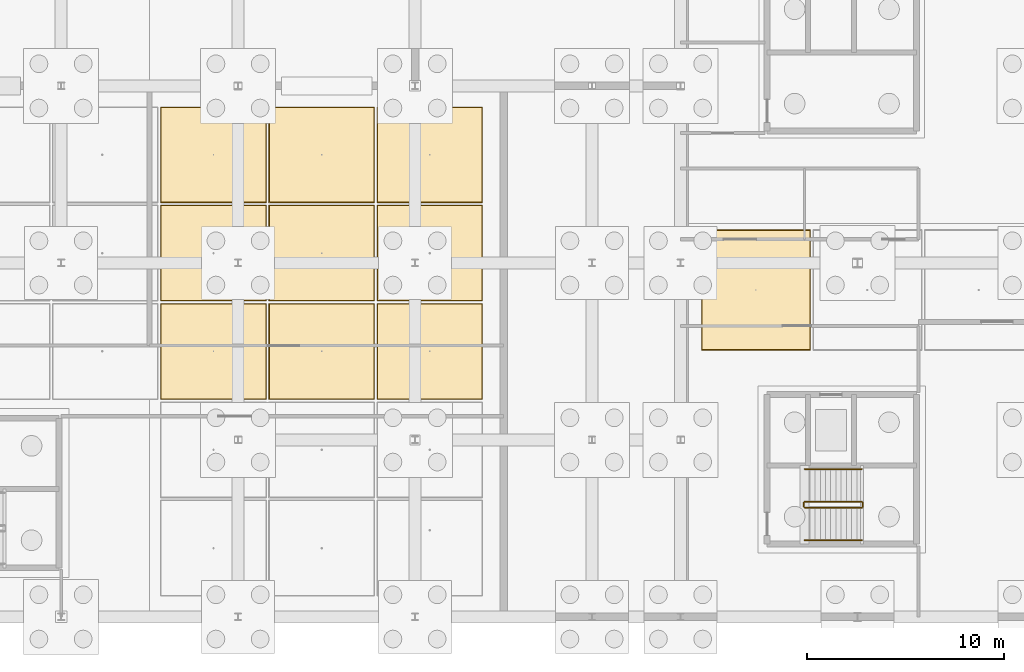
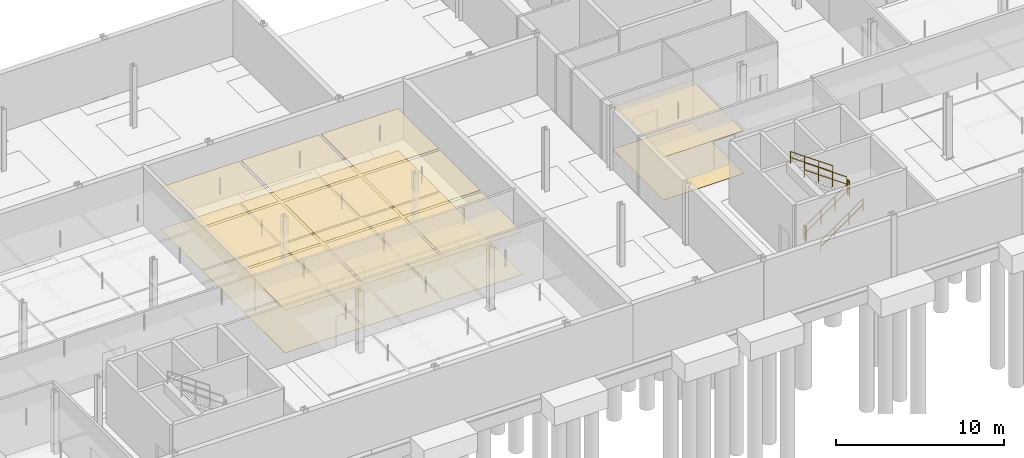
# One storey, part 46 of 48: 20 coverings, 6 railings.
"""IFC4 building model written with IfcOpenShell, lengths in metres."""

from ifc_helpers import new_model, si_unit, direction, frame, origin, origin_2d, place, context, subcontext, project, spatial, rectangle, circle, extrude, material, layer, layer_set, type_object, element, save


model = new_model("IFC4")

# Units and contexts
model_context = context("Model", 3, precision=1e-05, world=origin(), true_north=direction((0.0, 1.0)))
body_context = subcontext(model_context, "Body", "Model", "MODEL_VIEW")
ifc_project = project(units=[si_unit("LENGTHUNIT", "METRE"), si_unit("AREAUNIT", "SQUARE_METRE"), si_unit("VOLUMEUNIT", "CUBIC_METRE"), si_unit("PLANEANGLEUNIT", "RADIAN"), si_unit("MASSUNIT", "GRAM", prefix="KILO"), si_unit("THERMODYNAMICTEMPERATUREUNIT", "KELVIN"), si_unit("POWERUNIT", "WATT")], contexts=[model_context])

# Site, building, storey
site_placement = place(None, origin())
site = spatial("IfcSite", under=ifc_project, at=site_placement, CompositionType="ELEMENT")
building_placement = place(site_placement, origin())
building = spatial("IfcBuilding", under=site, at=building_placement, Name="Tallowbark Science Centre", CompositionType="ELEMENT")
storey_placement = place(building_placement, frame((0.0, 0.0, -4.5)))
storey = spatial("IfcBuildingStorey", under=building, at=storey_placement, Name="B1", CompositionType="ELEMENT", Elevation=-4.5)

# Coverings
ifc_material_1 = material(Name="Mineral-Fibre Acoustic Ceiling Tile Grid")
ifc_layer_1 = layer(ifc_material_1, 0.01806640625)
ifc_layer_set_1 = layer_set([ifc_layer_1], Name="Mineral-Fibre Acoustic Ceiling Tile Grid")
covering_type_1 = type_object("IfcCoveringType", Name="CLG-ACT-18", PredefinedType="CEILING", material=ifc_layer_set_1)
covering_1_placement = place(storey_placement, frame((116.333251953125, 88.625, 3.091064453125), z_axis=(0.0, 0.0, 1.0), x_axis=(1.0, 0.0, 0.0)))
element("IfcCovering", 1, at=covering_1_placement, inside=storey, type_object=covering_type_1, Name="Suspended Ceiling B1-63", PredefinedType="CEILING", context=body_context, shape_type="SweptSolid", body=[
    extrude(rectangle(XDim=5.48681640625, YDim=6.070068359375, at=origin_2d()), origin(), (0.0, 0.0, 1.0), 0.01806640625),
])
ifc_material_2 = material(Name="Cleanable Vinyl-Faced Laboratory Ceiling Tile")
ifc_layer_2 = layer(ifc_material_2, 0.01611328125)
ifc_layer_set_2 = layer_set([ifc_layer_2], Name="Cleanable Vinyl-Faced Laboratory Ceiling Tile")
covering_type_2 = type_object("IfcCoveringType", Name="CLG-LAB-16", PredefinedType="CEILING", material=ifc_layer_set_2)
for number, where, z_axis, x_axis, name in (
    (2, (88.75, 85.5, 3.092041015625), (0.0, 0.0, 1.0), (1.0, 0.0, 0.0), "Suspended Ceiling B1-50"),
    (3, (88.75, 90.5, 3.092041015625), (0.0, 0.0, 1.0), (1.0, 0.0, 0.0), "Suspended Ceiling B1-51"),
    (4, (88.75, 95.5, 3.092041015625), (0.0, 0.0, 1.0), (1.0, 0.0, 0.0), "Suspended Ceiling B1-52"),
    (5, (94.25, 85.5, 3.092041015625), (0.0, 0.0, 1.0), (1.0, 0.0, 0.0), "Suspended Ceiling B1-55"),
    (6, (94.25, 90.5, 3.092041015625), (0.0, 0.0, 1.0), (1.0, 0.0, 0.0), "Suspended Ceiling B1-56"),
    (7, (94.25, 95.5, 3.092041015625), (0.0, 0.0, 1.0), (1.0, 0.0, 0.0), "Suspended Ceiling B1-57"),
    (8, (99.75, 85.5, 3.092041015625), (0.0, 0.0, 1.0), (1.0, 0.0, 0.0), "Suspended Ceiling B1-60"),
    (9, (99.75, 90.5, 3.092041015625), (0.0, 0.0, 1.0), (1.0, 0.0, 0.0), "Suspended Ceiling B1-61"),
    (10, (99.75, 95.5, 3.092041015625), (0.0, 0.0, 1.0), (1.0, 0.0, 0.0), "Suspended Ceiling B1-62"),
):
    element("IfcCovering", number, at=place(storey_placement, frame(where, z_axis=z_axis, x_axis=x_axis)), inside=storey, type_object=covering_type_2, Name=name, PredefinedType="CEILING", context=body_context, shape_type="SweptSolid", body=[
        extrude(rectangle(XDim=5.320068359375, YDim=4.820068359375, at=origin_2d()), origin(), (0.0, 0.0, 1.0), 0.01611328125),
    ])
ifc_material_3 = material(Name="Chemical-Resistant Seamless Laboratory Vinyl")
ifc_layer_3 = layer(ifc_material_3, 0.011962890625)
ifc_layer_set_3 = layer_set([ifc_layer_3], Name="Chemical-Resistant Seamless Laboratory Vinyl")
covering_type_3 = type_object("IfcCoveringType", Name="FLR-VIN-12", PredefinedType="FLOORING", material=ifc_layer_set_3)
for number, where, z_axis, x_axis, name in (
    (11, (88.75, 85.5, 0.0), (0.0, 0.0, 1.0), (1.0, 0.0, 0.0), "Floor Finish B1-50"),
    (12, (88.75, 90.5, 0.0), (0.0, 0.0, 1.0), (1.0, 0.0, 0.0), "Floor Finish B1-51"),
    (13, (88.75, 95.5, 0.0), (0.0, 0.0, 1.0), (1.0, 0.0, 0.0), "Floor Finish B1-52"),
    (14, (94.25, 85.5, 0.0), (0.0, 0.0, 1.0), (1.0, 0.0, 0.0), "Floor Finish B1-55"),
    (15, (94.25, 90.5, 0.0), (0.0, 0.0, 1.0), (1.0, 0.0, 0.0), "Floor Finish B1-56"),
    (16, (94.25, 95.5, 0.0), (0.0, 0.0, 1.0), (1.0, 0.0, 0.0), "Floor Finish B1-57"),
    (17, (99.75, 85.5, 0.0), (0.0, 0.0, 1.0), (1.0, 0.0, 0.0), "Floor Finish B1-60"),
    (18, (99.75, 90.5, 0.0), (0.0, 0.0, 1.0), (1.0, 0.0, 0.0), "Floor Finish B1-61"),
    (19, (99.75, 95.5, 0.0), (0.0, 0.0, 1.0), (1.0, 0.0, 0.0), "Floor Finish B1-62"),
):
    element("IfcCovering", number, at=place(storey_placement, frame(where, z_axis=z_axis, x_axis=x_axis)), inside=storey, type_object=covering_type_3, Name=name, PredefinedType="FLOORING", context=body_context, shape_type="SweptSolid", body=[
        extrude(rectangle(XDim=5.3798828125, YDim=4.8798828125, at=origin_2d()), origin(), (0.0, 0.0, 1.0), 0.011962890625),
    ])
covering_2_placement = place(storey_placement, frame((116.333251953125, 88.625, 0.0), z_axis=(0.0, 0.0, 1.0), x_axis=(1.0, 0.0, 0.0)))
element("IfcCovering", 20, at=covering_2_placement, inside=storey, type_object=covering_type_3, Name="Floor Finish B1-63", PredefinedType="FLOORING", context=body_context, shape_type="SweptSolid", body=[
    extrude(rectangle(XDim=5.546630859375, YDim=6.1298828125, at=origin_2d()), origin(), (0.0, 0.0, 1.0), 0.011962890625),
])

# Railings
ifc_material_4 = material(Name="Galvanised Painted Steel and Laminated Glass Balustrade", Category="steel")
ifc_layer_4 = layer(ifc_material_4, 0.070068359375)
ifc_layer_set_4 = layer_set([ifc_layer_4], Name="Galvanised Painted Steel and Laminated Glass Balustrade")
railing_type_1 = type_object("IfcRailingType", Name="RLG-BAL-1150", PredefinedType="BALUSTRADE", material=ifc_layer_set_4)
railing_1_placement = place(storey_placement, frame((118.81005859375, 77.56005859375, 0.1875)))
element("IfcRailing", 21, at=railing_1_placement, inside=storey, type_object=railing_type_1, Name="B1 ST-02 stair guard 1", PredefinedType="BALUSTRADE", context=body_context, shape_type="SweptSolid", body=[
    extrude(circle(Radius=0.02392578125, at=origin_2d()), frame((0.0, 0.0, 1.076171875), z_axis=(0.816330724661, 0.0, 0.577584753931), x_axis=(0.0, 1.0, 0.0)), (0.0, 0.0, 1.0), 3.57080078125),
    extrude(circle(Radius=0.02392578125, at=origin_2d()), frame((0.0, 0.0, 0.550048828125), z_axis=(0.816330724661, 0.0, 0.577584753931), x_axis=(0.0, 1.0, 0.0)), (0.0, 0.0, 1.0), 3.57080078125),
    extrude(circle(Radius=0.02099609375, at=origin_2d()), origin(), (0.0, 0.0, 1.0), 1.052001953125),
    extrude(circle(Radius=0.02099609375, at=origin_2d()), frame((0.9716796875, 0.0, 0.6875)), (0.0, 0.0, 1.0), 1.052001953125),
    extrude(circle(Radius=0.02099609375, at=origin_2d()), frame((1.943359375, 0.0, 1.375)), (0.0, 0.0, 1.0), 1.052001953125),
    extrude(circle(Radius=0.02099609375, at=origin_2d()), frame((2.9150390625, 0.0, 2.0625)), (0.0, 0.0, 1.0), 1.052001953125),
])
railing_2_placement = place(storey_placement, frame((121.77490234375, 77.610107421875, 2.25)))
element("IfcRailing", 22, at=railing_2_placement, inside=storey, type_object=railing_type_1, Name="B1 ST-02 stair guard 2", PredefinedType="BALUSTRADE", context=body_context, shape_type="SweptSolid", body=[
    extrude(circle(Radius=0.02392578125, at=origin_2d()), frame((0.0, 0.0, 1.076171875), z_axis=(0.0, 1.0, 0.0), x_axis=(-1.0, 0.0, 0.0)), (0.0, 0.0, 1.0), 0.199951171875),
    extrude(circle(Radius=0.02392578125, at=origin_2d()), frame((0.0, 0.0, 0.550048828125), z_axis=(0.0, 1.0, 0.0), x_axis=(-1.0, 0.0, 0.0)), (0.0, 0.0, 1.0), 0.199951171875),
    extrude(circle(Radius=0.02099609375, at=origin_2d()), origin(), (0.0, 0.0, 1.0), 1.052001953125),
    extrude(circle(Radius=0.02099609375, at=origin_2d()), frame((0.0, 0.199951171875, 0.0)), (0.0, 0.0, 1.0), 1.052001953125),
])
railing_3_placement = place(storey_placement, frame((121.72509765625, 77.860107421875, 2.4375)))
element("IfcRailing", 23, at=railing_3_placement, inside=storey, type_object=railing_type_1, Name="B1 ST-02 stair guard 3", PredefinedType="BALUSTRADE", context=body_context, shape_type="SweptSolid", body=[
    extrude(circle(Radius=0.02392578125, at=origin_2d()), frame((0.0, 0.0, 1.076171875), z_axis=(-0.816330724661, 0.0, 0.577584753931), x_axis=(0.0, -1.0, 0.0)), (0.0, 0.0, 1.0), 3.57080078125),
    extrude(circle(Radius=0.02392578125, at=origin_2d()), frame((0.0, 0.0, 0.550048828125), z_axis=(-0.816330724661, 0.0, 0.577584753931), x_axis=(0.0, -1.0, 0.0)), (0.0, 0.0, 1.0), 3.57080078125),
    extrude(circle(Radius=0.02099609375, at=origin_2d()), origin(), (0.0, 0.0, 1.0), 1.052001953125),
    extrude(circle(Radius=0.02099609375, at=origin_2d()), frame((-0.9716796875, 0.0, 0.6875)), (0.0, 0.0, 1.0), 1.052001953125),
    extrude(circle(Radius=0.02099609375, at=origin_2d()), frame((-1.943359375, 0.0, 1.375)), (0.0, 0.0, 1.0), 1.052001953125),
    extrude(circle(Radius=0.02099609375, at=origin_2d()), frame((-2.9150390625, 0.0, 2.0625)), (0.0, 0.0, 1.0), 1.052001953125),
])
railing_4_placement = place(storey_placement, frame((118.760009765625, 77.610107421875, 0.0)))
element("IfcRailing", 24, at=railing_4_placement, inside=storey, type_object=railing_type_1, Name="B1 ST-02 stair guard 4", PredefinedType="BALUSTRADE", context=body_context, shape_type="SweptSolid", body=[
    extrude(circle(Radius=0.02392578125, at=origin_2d()), frame((0.0, 0.0, 1.076171875), z_axis=(0.0, 1.0, 0.0), x_axis=(-1.0, 0.0, 0.0)), (0.0, 0.0, 1.0), 0.199951171875),
    extrude(circle(Radius=0.02392578125, at=origin_2d()), frame((0.0, 0.0, 0.550048828125), z_axis=(0.0, 1.0, 0.0), x_axis=(-1.0, 0.0, 0.0)), (0.0, 0.0, 1.0), 0.199951171875),
    extrude(circle(Radius=0.02099609375, at=origin_2d()), origin(), (0.0, 0.0, 1.0), 1.052001953125),
    extrude(circle(Radius=0.02099609375, at=origin_2d()), frame((0.0, 0.199951171875, 0.0)), (0.0, 0.0, 1.0), 1.052001953125),
])
ifc_material_5 = material(Name="Brushed Grade 316 Stainless Steel Handrail", Category="steel")
ifc_layer_5 = layer(ifc_material_5, 0.050048828125)
ifc_layer_set_5 = layer_set([ifc_layer_5], Name="Brushed Grade 316 Stainless Steel Handrail")
railing_type_2 = type_object("IfcRailingType", Name="RLG-HDR-950", PredefinedType="HANDRAIL", material=ifc_layer_set_5)
railing_5_placement = place(storey_placement, frame((118.81005859375, 75.89990234375, 0.1875)))
element("IfcRailing", 25, at=railing_5_placement, inside=storey, type_object=railing_type_2, Name="B1 ST-02 stair handrail 1", PredefinedType="HANDRAIL", context=body_context, shape_type="SweptSolid", body=[
    extrude(circle(Radius=0.02392578125, at=origin_2d()), frame((0.0, 0.0, 0.8759765625), z_axis=(0.816330724661, 0.0, 0.577584753931), x_axis=(0.0, 1.0, 0.0)), (0.0, 0.0, 1.0), 3.57080078125),
    extrude(circle(Radius=0.02392578125, at=origin_2d()), frame((0.0, 0.0, 0.449951171875), z_axis=(0.816330724661, 0.0, 0.577584753931), x_axis=(0.0, 1.0, 0.0)), (0.0, 0.0, 1.0), 3.57080078125),
    extrude(circle(Radius=0.02099609375, at=origin_2d()), origin(), (0.0, 0.0, 1.0), 0.851806640625),
    extrude(circle(Radius=0.02099609375, at=origin_2d()), frame((0.9716796875, 0.0, 0.6875)), (0.0, 0.0, 1.0), 0.851806640625),
    extrude(circle(Radius=0.02099609375, at=origin_2d()), frame((1.943359375, 0.0, 1.375)), (0.0, 0.0, 1.0), 0.851806640625),
    extrude(circle(Radius=0.02099609375, at=origin_2d()), frame((2.9150390625, 0.0, 2.0625)), (0.0, 0.0, 1.0), 0.851806640625),
])
railing_6_placement = place(storey_placement, frame((121.72509765625, 79.52001953125, 2.4375)))
element("IfcRailing", 26, at=railing_6_placement, inside=storey, type_object=railing_type_2, Name="B1 ST-02 stair handrail 2", PredefinedType="HANDRAIL", context=body_context, shape_type="SweptSolid", body=[
    extrude(circle(Radius=0.02392578125, at=origin_2d()), frame((0.0, 0.0, 0.8759765625), z_axis=(-0.816330724661, 0.0, 0.577584753931), x_axis=(0.0, -1.0, 0.0)), (0.0, 0.0, 1.0), 3.57080078125),
    extrude(circle(Radius=0.02392578125, at=origin_2d()), frame((0.0, 0.0, 0.449951171875), z_axis=(-0.816330724661, 0.0, 0.577584753931), x_axis=(0.0, -1.0, 0.0)), (0.0, 0.0, 1.0), 3.57080078125),
    extrude(circle(Radius=0.02099609375, at=origin_2d()), origin(), (0.0, 0.0, 1.0), 0.851806640625),
    extrude(circle(Radius=0.02099609375, at=origin_2d()), frame((-0.9716796875, 0.0, 0.6875)), (0.0, 0.0, 1.0), 0.851806640625),
    extrude(circle(Radius=0.02099609375, at=origin_2d()), frame((-1.943359375, 0.0, 1.375)), (0.0, 0.0, 1.0), 0.851806640625),
    extrude(circle(Radius=0.02099609375, at=origin_2d()), frame((-2.9150390625, 0.0, 2.0625)), (0.0, 0.0, 1.0), 0.851806640625),
])

save(model, "model.ifc")
